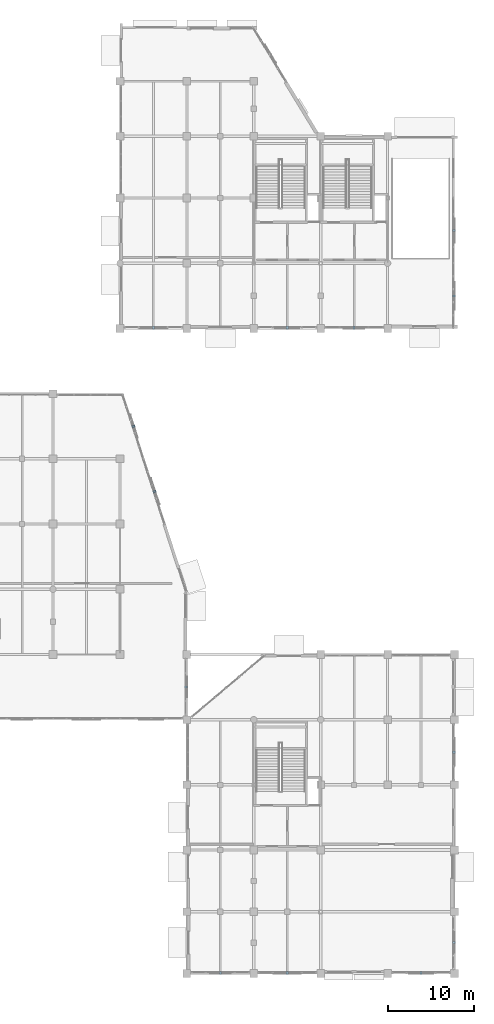
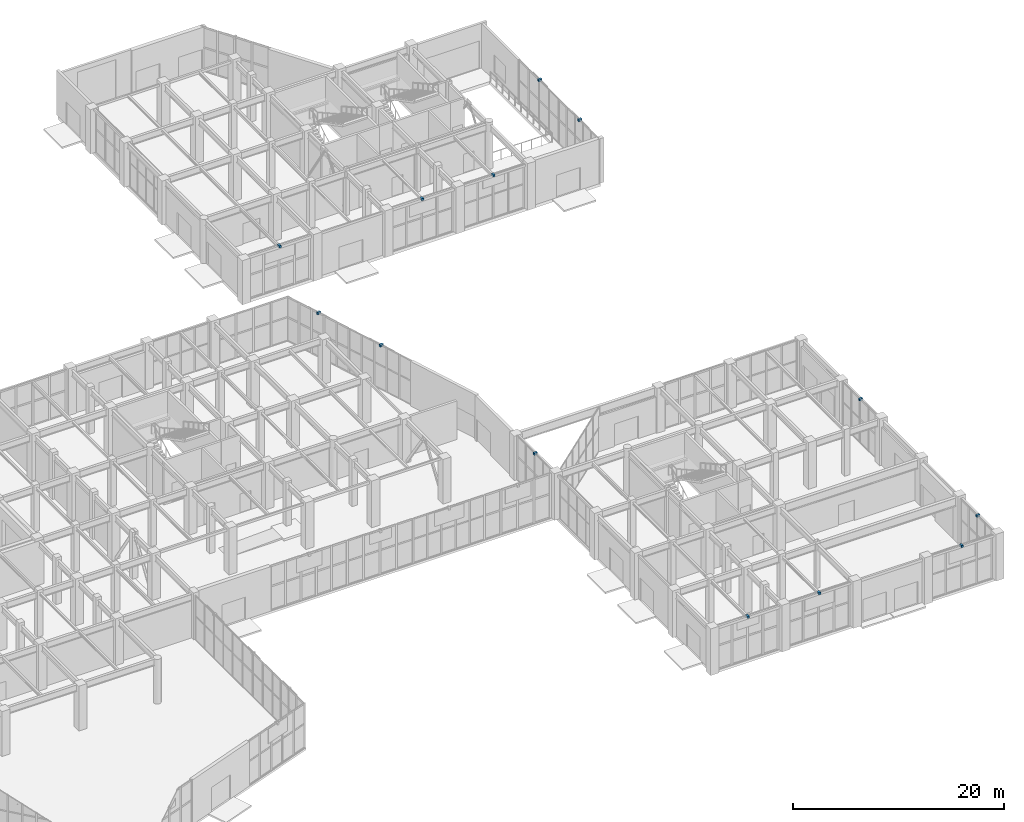
# One storey, part 132 of 139: 13 discrete accessories.
"""IFC4 building model written with IfcOpenShell, lengths in metres."""

import ifcopenshell
import ifcopenshell.guid

model = None  # the IFC model being written
_history = None  # IfcOwnerHistory: only IFC2X3 demands one
_inside = {}  # id of a spatial element -> (the spatial element, [elements in it])
_under = {}  # id of a project, library or spatial element -> (it, [spatial elements below it])
_declared = {}  # id of a project -> (the project, [libraries it declares])
_typed = {}  # id of a type object -> (the type object, [elements of that type])
_made_of = {}  # id of a material, layer set ... -> (it, [elements and type objects made of it])


def new_model(schema):
    """Start an empty IFC model of exactly this schema.

    Asked for "IFC4X3", IfcOpenShell would pick the latest addendum, in which some entities
    have other attributes; the version numbers below select the first issue.
    IFC2X3 requires an IfcOwnerHistory on every rooted entity: one is made here for all.
    """
    global model, _history
    if schema == "IFC4X3":
        model = ifcopenshell.file(schema_version=(4, 3, 0, 0))
    else:
        model = ifcopenshell.file(schema=schema)
    _inside.clear()
    _under.clear()
    _declared.clear()
    _typed.clear()
    _made_of.clear()
    _history = None
    if model.schema == "IFC2X3":
        org = make("IfcOrganization", Name="unknown")
        user = make(
            "IfcPersonAndOrganization",
            ThePerson=make("IfcPerson", FamilyName="unknown"),
            TheOrganization=org,
        )
        app = make(
            "IfcApplication",
            ApplicationDeveloper=org,
            Version="unknown",
            ApplicationFullName="unknown",
            ApplicationIdentifier="unknown",
        )
        _history = make(
            "IfcOwnerHistory",
            OwningUser=user,
            OwningApplication=app,
            ChangeAction="ADDED",
            CreationDate=0,
        )
    return model


def make(cls, **values):
    """One entity of the class cls with the attributes given. An attribute that is None is left unset."""
    return model.create_entity(
        cls, **{name: value for name, value in values.items() if value is not None}
    )


def rooted(cls, **values):
    """An entity with a GlobalId (a new one), such as an element, a storey or a relation."""
    return make(cls, GlobalId=ifcopenshell.guid.new(), OwnerHistory=_history, **values)


def si_unit(unit_type, name, prefix=None):
    """IfcSIUnit, for example si_unit("LENGTHUNIT", "METRE", prefix="MILLI")."""
    return make("IfcSIUnit", UnitType=unit_type, Prefix=prefix, Name=name)


def assignment(units):
    """IfcUnitAssignment: the units of a project."""
    return None if units is None else make("IfcUnitAssignment", Units=units)


def point(xyz):
    """IfcCartesianPoint."""
    return None if xyz is None else make("IfcCartesianPoint", Coordinates=xyz)


def direction(xyz):
    """IfcDirection."""
    return None if xyz is None else make("IfcDirection", DirectionRatios=xyz)


def frame(location, z_axis=None, x_axis=None):
    """IfcAxis2Placement3D, a coordinate frame: its origin and axes. An axis left out is left unset."""
    return make(
        "IfcAxis2Placement3D",
        Location=point(location),
        Axis=direction(z_axis),
        RefDirection=direction(x_axis),
    )


def frame_2d(location, x_axis=None):
    """IfcAxis2Placement2D, a coordinate frame in the plane: its origin and x axis."""
    return make(
        "IfcAxis2Placement2D", Location=point(location), RefDirection=direction(x_axis)
    )


def origin():
    """The frame at (0, 0, 0) with its axes left unset."""
    return frame((0.0, 0.0, 0.0))


def origin_2d():
    """The frame at (0, 0) in the plane with its x axis left unset."""
    return frame_2d((0.0, 0.0))


def place(relative_to, where):
    """IfcLocalPlacement: puts the frame where relative to a parent placement (None: the world)."""
    return make(
        "IfcLocalPlacement", PlacementRelTo=relative_to, RelativePlacement=where
    )


def context(
    kind, dimensions, precision=None, world=None, true_north=None, identifier=None
):
    """IfcGeometricRepresentationContext, for example the 3D "Model" context."""
    return make(
        "IfcGeometricRepresentationContext",
        ContextIdentifier=identifier,
        ContextType=kind,
        CoordinateSpaceDimension=dimensions,
        Precision=precision,
        WorldCoordinateSystem=world,
        TrueNorth=true_north,
    )


def subcontext(parent, identifier, kind, view, scale=None):
    """IfcGeometricRepresentationSubContext, for example "Body" below "Model"."""
    return make(
        "IfcGeometricRepresentationSubContext",
        ContextIdentifier=identifier,
        ContextType=kind,
        ParentContext=parent,
        TargetScale=scale,
        TargetView=view,
    )


def project(units=None, contexts=None):
    """IfcProject with its units and contexts."""
    return rooted(
        "IfcProject",
        Name="project",
        RepresentationContexts=contexts,
        UnitsInContext=assignment(units),
    )


def spatial(cls, under=None, at=None, **own):
    """A site, building, storey or space (cls), placed at a placement, below another one or the project."""
    s = rooted(cls, ObjectPlacement=at, **own)
    if under is not None:
        _under.setdefault(under.id(), (under, []))[1].append(s)
    return s


def profile(cls, at=None, kind="AREA", **sizes):
    """A parametric profile (cls). Its sizes go by their IFC names, for example OverallWidth=200.0."""
    return make(cls, ProfileType=kind, Position=at, **sizes)


def rectangle(**sizes):
    """IfcRectangleProfileDef."""
    return profile("IfcRectangleProfileDef", **sizes)


def extrude(swept, where, along, depth):
    """IfcExtrudedAreaSolid: the profile swept, set in the frame where, extruded along a direction by depth."""
    return make(
        "IfcExtrudedAreaSolid",
        SweptArea=swept,
        Position=where,
        ExtrudedDirection=direction(along),
        Depth=depth,
    )


def shape(context_of_items, identifier, shape_type, items):
    """IfcShapeRepresentation: the items that make up one representation, for example the "Body"."""
    return make(
        "IfcShapeRepresentation",
        ContextOfItems=context_of_items,
        RepresentationIdentifier=identifier,
        RepresentationType=shape_type,
        Items=items,
    )


def material(Name=None, Category=None):
    """IfcMaterial."""
    return make("IfcMaterial", Name=Name, Category=Category)


def made_of(thing, what):
    """Note that an element or type object is made of a material, layer set ...; save() writes the relation."""
    if what is not None:
        _made_of.setdefault(what.id(), (what, []))[1].append(thing)
    return thing


def type_object(cls, material=None, **own):
    """A type object (cls), such as IfcWallType, which elements share."""
    return made_of(rooted(cls, **own), material)


def element(
    cls,
    number,
    at=None,
    inside=None,
    cuts=None,
    type_object=None,
    material=None,
    context=None,
    identifier="Body",
    shape_type=None,
    held_by="IfcProductDefinitionShape",
    body=None,
    shapes=None,
    **own,
):
    """One element of the class cls, such as IfcWall. Its Tag is "e" and its number.

    at: its placement. inside: the storey or other place that contains it. cuts: it is an
    opening in that element (IfcRelVoidsElement). A single representation is given by context,
    identifier, shape_type and body (its items); several are given by shapes. held_by: the class
    of the entity that holds the representations. save() writes the other relations.
    """
    e = rooted(cls, Tag="e%d" % number, ObjectPlacement=at, **own)
    if body is not None:
        shapes = [shape(context, identifier, shape_type, body)]
    if shapes is not None:
        e.Representation = make(held_by, Representations=shapes)
    if inside is not None:
        _inside.setdefault(inside.id(), (inside, []))[1].append(e)
    if cuts is not None:
        rooted(
            "IfcRelVoidsElement", RelatingBuildingElement=cuts, RelatedOpeningElement=e
        )
    if type_object is not None:
        _typed.setdefault(type_object.id(), (type_object, []))[1].append(e)
    return made_of(e, material)


def aggregate(whole, parts):
    """IfcRelAggregates: a whole, such as a stair, and the parts it consists of."""
    return rooted("IfcRelAggregates", RelatingObject=whole, RelatedObjects=parts)


def save(model, path):
    """Write the relations noted so far, then the file.

    IfcRelAggregates (storeys below a building ...), IfcRelContainedInSpatialStructure (elements
    in a storey), IfcRelDefinesByType, IfcRelAssociatesMaterial and IfcRelDeclares: one each for
    every whole, place, type object, material and project.
    """
    for whole, parts in _under.values():
        aggregate(whole, parts)
    for where, things in _inside.values():
        rooted(
            "IfcRelContainedInSpatialStructure",
            RelatedElements=things,
            RelatingStructure=where,
        )
    for kind, things in _typed.values():
        rooted("IfcRelDefinesByType", RelatedObjects=things, RelatingType=kind)
    for what, things in _made_of.values():
        rooted("IfcRelAssociatesMaterial", RelatedObjects=things, RelatingMaterial=what)
    for by, libraries in _declared.values():
        rooted("IfcRelDeclares", RelatingContext=by, RelatedDefinitions=libraries)
    model.write(path)


model = new_model("IFC4")

# Units and contexts
model_context = context("Model", 3, precision=1e-05, world=origin(), true_north=direction((0.0, 1.0)))
body_context = subcontext(model_context, "Body", "Model", "MODEL_VIEW")
ifc_project = project(units=[si_unit("LENGTHUNIT", "METRE"), si_unit("AREAUNIT", "SQUARE_METRE"), si_unit("VOLUMEUNIT", "CUBIC_METRE"), si_unit("PLANEANGLEUNIT", "RADIAN"), si_unit("MASSUNIT", "GRAM", prefix="KILO")], contexts=[model_context])

# Site, building, storey
site_placement = place(None, origin())
site = spatial("IfcSite", under=ifc_project, at=site_placement, CompositionType="ELEMENT")
building_placement = place(site_placement, origin())
building = spatial("IfcBuilding", under=site, at=building_placement, Name="Xicomal Pleat Aquarium", CompositionType="ELEMENT")
storey_placement = place(building_placement, origin())
storey = spatial("IfcBuildingStorey", under=building, at=storey_placement, Name="L01", CompositionType="ELEMENT", Elevation=0.0)

# Discrete accessories
ifc_material = material(Name="Stainless steel 316L", Category="steel")
discrete_accessory_type = type_object("IfcDiscreteAccessoryType", Name="ACC-BRK-STL", PredefinedType="BRACKET", material=ifc_material)
for number, where, z_axis, x_axis, name in (
    (1, (127.55810546875, 64.575927734375, 4.93994140625), (0.0, 0.0, 1.0), (0.308684994204, -0.951164325631, 0.0), "L01 sunshade support bracket 19"),
    (2, (130.02392578125, 56.97607421875, 4.93994140625), (0.0, 0.0, 1.0), (0.308684994204, -0.951164325631, 0.0), "L01 sunshade support bracket 20"),
    (3, (133.719970703125, 34.199951171875, 4.93994140625), (0.0, 0.0, 1.0), (0.0, -1.0, 0.0), "L01 sunshade support bracket 21"),
    (4, (164.919921875, 26.60009765625, 4.89990234375), (0.0, 0.0, 1.0), (0.0, -1.0, 0.0), "L01 sunshade support bracket 29"),
    (5, (164.919921875, 4.39990234375, 4.89990234375), (0.0, 0.0, 1.0), (0.0, -1.0, 0.0), "L01 sunshade support bracket 30"),
    (6, (161.10009765625, 0.8798828125, 4.89990234375), (0.0, 0.0, 1.0), (-1.0, 0.0, 0.0), "L01 sunshade support bracket 31"),
    (7, (145.5, 0.8798828125, 4.89990234375), (0.0, 0.0, 1.0), (-1.0, 0.0, 0.0), "L01 sunshade support bracket 32"),
    (8, (137.699951171875, 0.8798828125, 4.89990234375), (0.0, 0.0, 1.0), (-1.0, 0.0, 0.0), "L01 sunshade support bracket 33"),
    (9, (164.919921875, 87.39990234375, 4.93994140625), (0.0, 0.0, 1.0), (0.0, -1.0, 0.0), "L01 sunshade support bracket 34"),
    (10, (164.919921875, 79.800048828125, 4.93994140625), (0.0, 0.0, 1.0), (0.0, -1.0, 0.0), "L01 sunshade support bracket 35"),
    (11, (153.300048828125, 76.080078125, 4.8798828125), (0.0, 0.0, 1.0), (-1.0, 0.0, 0.0), "L01 sunshade support bracket 36"),
    (12, (145.5, 76.080078125, 4.8798828125), (0.0, 0.0, 1.0), (-1.0, 0.0, 0.0), "L01 sunshade support bracket 37"),
    (13, (129.89990234375, 76.080078125, 4.8798828125), (0.0, 0.0, 1.0), (-1.0, 0.0, 0.0), "L01 sunshade support bracket 38"),
):
    element("IfcDiscreteAccessory", number, at=place(storey_placement, frame(where, z_axis=z_axis, x_axis=x_axis)), inside=storey, type_object=discrete_accessory_type, Name=name, PredefinedType="BRACKET", context=body_context, shape_type="SweptSolid", body=[
        extrude(rectangle(XDim=0.239990234375, YDim=0.360107421875, at=origin_2d()), origin(), (0.0, 0.0, 1.0), 0.239990234375),
    ])

save(model, "model.ifc")
